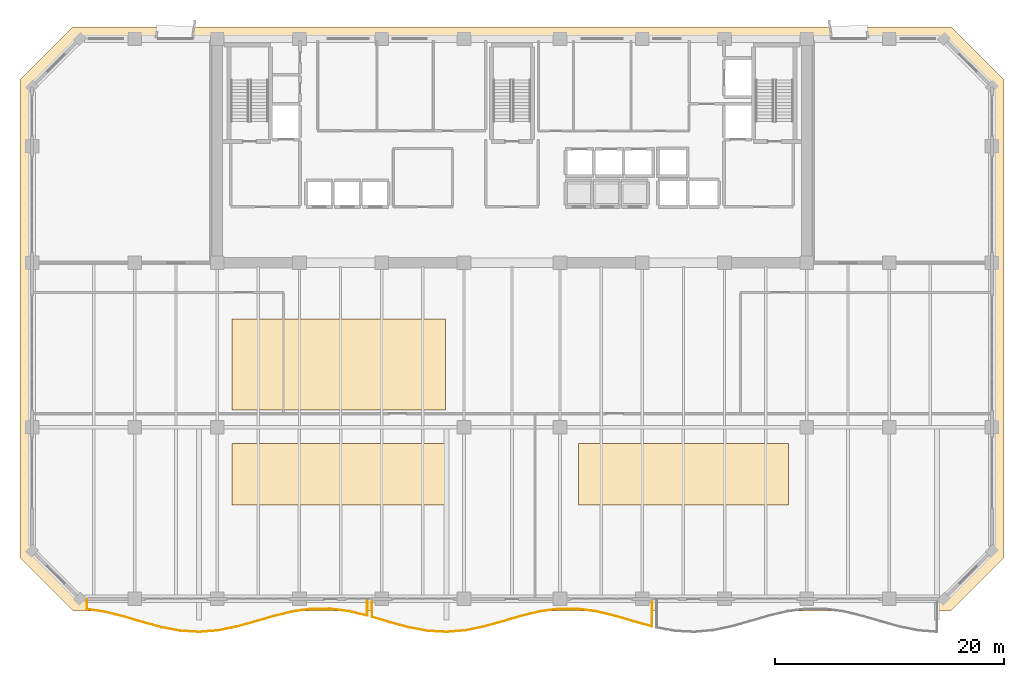
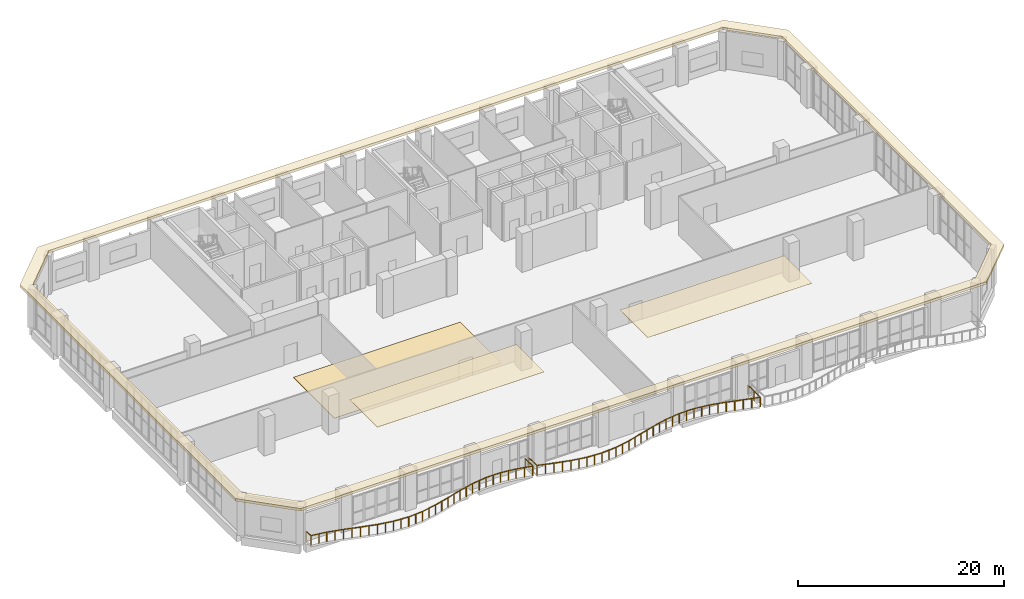
# One storey, part 33 of 37: 4 coverings, 2 railings.
"""IFC4 building model written with IfcOpenShell, lengths in metres."""

from ifc_helpers import new_model, si_unit, direction, frame, origin, origin_2d, place, context, subcontext, project, spatial, polyline, rectangle, outline, extrude, material, layer, layer_set, type_object, element, save


model = new_model("IFC4")

# Units and contexts
model_context = context("Model", 3, precision=1e-05, world=origin(), true_north=direction((0.0, 1.0)))
body_context = subcontext(model_context, "Body", "Model", "MODEL_VIEW")
ifc_project = project(units=[si_unit("LENGTHUNIT", "METRE"), si_unit("AREAUNIT", "SQUARE_METRE"), si_unit("VOLUMEUNIT", "CUBIC_METRE"), si_unit("PLANEANGLEUNIT", "RADIAN"), si_unit("MASSUNIT", "GRAM", prefix="KILO")], contexts=[model_context])

# Site, building, storey
site_placement = place(None, origin())
site = spatial("IfcSite", under=ifc_project, at=site_placement, CompositionType="ELEMENT")
building_placement = place(site_placement, origin())
building = spatial("IfcBuilding", under=site, at=building_placement, Name="Kaelvorn Grand Hotel", CompositionType="ELEMENT")
storey_placement = place(building_placement, frame((0.0, 0.0, 130.550048828125)))
storey = spatial("IfcBuildingStorey", under=building, at=storey_placement, Name="L31", CompositionType="ELEMENT", Elevation=130.550048828125)

# Coverings
ifc_material_1 = material(Name="Precast concrete C45/55", Category="concrete")
ifc_layer_1 = layer(ifc_material_1, 0.260009765625)
ifc_layer_set_1 = layer_set([ifc_layer_1], Name="Precast concrete C45/55")
covering_type_1 = type_object("IfcCoveringType", Name="COV-BAND-STREAMLINE-HEAD", PredefinedType="CLADDING", material=ifc_layer_set_1)
covering_1_placement = place(storey_placement, frame((0.0, 0.0, 4.5400390625)))
element("IfcCovering", 1, at=covering_1_placement, inside=storey, type_object=covering_type_1, Name="L31 Streamline Moderne Wraparound Horizontal Eyebrow Band", PredefinedType="CLADDING", context=body_context, shape_type="SweptSolid", body=[
    extrude(outline(polyline([(3.590087890625, -1.050048828125), (80.409912109375, -1.050048828125), (85.050048828125, 3.590087890625), (85.050048828125, 45.409912109375), (80.409912109375, 50.050048828125), (3.590087890625, 50.050048828125), (-1.050048828125, 45.409912109375), (-1.050048828125, 3.590087890625), (3.590087890625, -1.050048828125)]), holes=[polyline([(4.219970703125, 0.030029296875), (79.780029296875, 0.030029296875), (83.969970703125, 4.219970703125), (83.969970703125, 44.780029296875), (79.780029296875, 48.969970703125), (4.219970703125, 48.969970703125), (0.030029296875, 44.780029296875), (0.030029296875, 4.219970703125), (4.219970703125, 0.030029296875)])]), origin(), (0.0, 0.0, 1.0), 0.2998046875),
])
ifc_material_2 = material(Name="Slatted Malaysian Teak Timber Acoustic Baffle", Category="wood")
ifc_layer_2 = layer(ifc_material_2, 0.034912109375)
ifc_layer_set_2 = layer_set([ifc_layer_2], Name="Slatted Malaysian Teak Timber Acoustic Baffle")
covering_type_2 = type_object("IfcCoveringType", Name="COV-CEIL-TIMBER-35", PredefinedType="CEILING", material=ifc_layer_set_2)
covering_2_placement = place(storey_placement, frame((0.0, 0.0, 3.97998046875)))
element("IfcCovering", 2, at=covering_2_placement, inside=storey, type_object=covering_type_2, Name="L31 Suspended Acoustic Ceiling Panel 1", PredefinedType="CEILING", context=body_context, shape_type="SweptSolid", body=[
    extrude(outline(polyline([(17.5, 8.199951171875), (36.199951171875, 8.199951171875), (36.199951171875, 13.60009765625), (17.5, 13.60009765625), (17.5, 8.199951171875)])), origin(), (0.0, 0.0, 1.0), 0.034912109375),
])
covering_3_placement = place(storey_placement, frame((0.0, 0.0, 3.97998046875)))
element("IfcCovering", 3, at=covering_3_placement, inside=storey, type_object=covering_type_2, Name="L31 Suspended Acoustic Ceiling Panel 2", PredefinedType="CEILING", context=body_context, shape_type="SweptSolid", body=[
    extrude(outline(polyline([(47.800048828125, 8.199951171875), (66.199951171875, 8.199951171875), (66.199951171875, 13.60009765625), (47.800048828125, 13.60009765625), (47.800048828125, 8.199951171875)])), origin(), (0.0, 0.0, 1.0), 0.034912109375),
])
ifc_material_3 = material(Name="Polished Terrazzo Stone Tile", Category="masonry")
ifc_layer_3 = layer(ifc_material_3, 0.0400390625)
ifc_layer_set_3 = layer_set([ifc_layer_3], Name="Polished Terrazzo Stone Tile")
covering_type_3 = type_object("IfcCoveringType", Name="COV-FLR-TERRAZZO-40", PredefinedType="FLOORING", material=ifc_layer_set_3)
covering_4_placement = place(storey_placement, origin())
element("IfcCovering", 4, at=covering_4_placement, inside=storey, type_object=covering_type_3, Name="L31 Terrazzo Concourse Floor Finish", PredefinedType="FLOORING", context=body_context, shape_type="SweptSolid", body=[
    extrude(outline(polyline([(17.5, 16.5), (36.199951171875, 16.5), (36.199951171875, 24.5), (17.5, 24.5), (17.5, 16.5)])), origin(), (0.0, 0.0, 1.0), 0.0400390625),
])

# Railings
ifc_material_4 = material(Name="Stainless Steel", Category="steel")
railing_type = type_object("IfcRailingType", Name="RL-BALC-1150", PredefinedType="BALUSTRADE", material=ifc_material_4)
railing_1_placement = place(storey_placement, frame((4.800048828125, 0.0, 0.0)))
element("IfcRailing", 5, at=railing_1_placement, inside=storey, type_object=railing_type, Name="L31 Scalloped Wave Balcony Balustrade GR1-1", PredefinedType="BALUSTRADE", context=body_context, shape_type="SweptSolid", body=[
    extrude(rectangle(XDim=0.048095703125, YDim=0.048095703125, at=origin_2d()), frame((0.0, 0.0, 1.1259765625), z_axis=(0.0, -1.0, 0.0), x_axis=(1.0, 0.0, 0.0)), (0.0, 0.0, 1.0), 0.900146484375),
    extrude(rectangle(XDim=0.048095703125, YDim=0.048095703125, at=origin_2d()), frame((0.0, -0.900146484375, 1.1259765625), z_axis=(0.988207407969, -0.153121255332, 0.0), x_axis=(0.153121255332, 0.988207407969, 0.0)), (0.0, 0.0, 1.0), 1.655029296875),
    extrude(rectangle(XDim=0.048095703125, YDim=0.048095703125, at=origin_2d()), frame((1.635498046875, -1.153564453125, 1.1259765625), z_axis=(0.969483457617, -0.245156736409, 0.0), x_axis=(0.245156736409, 0.969483457617, 0.0)), (0.0, 0.0, 1.0), 1.68701171875),
    extrude(rectangle(XDim=0.048095703125, YDim=0.048095703125, at=origin_2d()), frame((3.27099609375, -1.567138671875, 1.1259765625), z_axis=(0.959233169968, -0.282615862316, 0.0), x_axis=(0.282615862316, 0.959233169968, 0.0)), (0.0, 0.0, 1.0), 1.705322265625),
    extrude(rectangle(XDim=0.048095703125, YDim=0.048095703125, at=origin_2d()), frame((4.90673828125, -2.049072265625, 1.1259765625), z_axis=(0.965164997987, -0.26164198184, 0.0), x_axis=(0.26164198184, 0.965164997987, 0.0)), (0.0, 0.0, 1.0), 1.694580078125),
    extrude(rectangle(XDim=0.048095703125, YDim=0.048095703125, at=origin_2d()), frame((6.542236328125, -2.492431640625, 1.1259765625), z_axis=(0.982926958604, -0.183996179443, 0.0), x_axis=(0.183996179443, 0.982926958604, 0.0)), (0.0, 0.0, 1.0), 1.663818359375),
    extrude(rectangle(XDim=0.048095703125, YDim=0.048095703125, at=origin_2d()), frame((8.177734375, -2.798583984375, 1.1259765625), z_axis=(0.998095816111, -0.061682589621, 0.0), x_axis=(0.061682589621, 0.998095816111, 0.0)), (0.0, 0.0, 1.0), 1.638671875),
    extrude(rectangle(XDim=0.048095703125, YDim=0.048095703125, at=origin_2d()), frame((9.813232421875, -2.899658203125, 1.1259765625), z_axis=(0.997023764101, 0.077094836514, 0.0), x_axis=(-0.077094836514, 0.997023764101, 0.0)), (0.0, 0.0, 1.0), 1.640380859375),
    extrude(rectangle(XDim=0.048095703125, YDim=0.048095703125, at=origin_2d()), frame((11.44873046875, -2.773193359375, 1.1259765625), z_axis=(0.980693108013, 0.19555313318, 0.0), x_axis=(-0.19555313318, 0.980693108013, 0.0)), (0.0, 0.0, 1.0), 1.66796875),
    extrude(rectangle(XDim=0.048095703125, YDim=0.048095703125, at=origin_2d()), frame((13.08447265625, -2.447021484375, 1.1259765625), z_axis=(0.963696999215, 0.266998302813, 0.0), x_axis=(-0.266998302813, 0.963696999215, 0.0)), (0.0, 0.0, 1.0), 1.697021484375),
    extrude(rectangle(XDim=0.048095703125, YDim=0.048095703125, at=origin_2d()), frame((14.719970703125, -1.993896484375, 1.1259765625), z_axis=(0.959609209401, 0.28133639159, 0.0), x_axis=(-0.28133639159, 0.959609209401, 0.0)), (0.0, 0.0, 1.0), 1.704345703125),
    extrude(rectangle(XDim=0.048095703125, YDim=0.048095703125, at=origin_2d()), frame((16.35546875, -1.514404296875, 1.1259765625), z_axis=(0.971450272651, 0.237243267063, 0.0), x_axis=(-0.237243267063, 0.971450272651, 0.0)), (0.0, 0.0, 1.0), 1.68359375),
    extrude(rectangle(XDim=0.048095703125, YDim=0.048095703125, at=origin_2d()), frame((17.990966796875, -1.114990234375, 1.1259765625), z_axis=(0.990219604351, 0.139517508434, 0.0), x_axis=(-0.139517508434, 0.990219604351, 0.0)), (0.0, 0.0, 1.0), 1.65185546875),
    extrude(rectangle(XDim=0.048095703125, YDim=0.048095703125, at=origin_2d()), frame((19.626708984375, -0.884521484375, 1.1259765625), z_axis=(0.999978430437, 0.006568002827, 0.0), x_axis=(-0.006568002827, 0.999978430437, 0.0)), (0.0, 0.0, 1.0), 1.635498046875),
    extrude(rectangle(XDim=0.048095703125, YDim=0.048095703125, at=origin_2d()), frame((21.26220703125, -0.873779296875, 1.1259765625), z_axis=(0.991728699093, -0.128351811034, 0.0), x_axis=(0.128351811034, 0.991728699093, 0.0)), (0.0, 0.0, 1.0), 1.649169921875),
    extrude(rectangle(XDim=0.048095703125, YDim=0.048095703125, at=origin_2d()), frame((22.897705078125, -1.08544921875, 1.1259765625), z_axis=(0.973100001254, -0.230383132108, 0.0), x_axis=(0.230383132108, 0.973100001254, 0.0)), (0.0, 0.0, 1.0), 1.6806640625),
    extrude(rectangle(XDim=0.048095703125, YDim=0.048095703125, at=origin_2d()), frame((24.533203125, -1.47265625, 1.1259765625), z_axis=(0.0, 1.0, 0.0), x_axis=(-1.0, 0.0, 0.0)), (0.0, 0.0, 1.0), 1.47265625),
    extrude(rectangle(XDim=0.0419921875, YDim=0.0419921875, at=origin_2d()), origin(), (0.0, 0.0, 1.0), 1.101806640625),
    extrude(rectangle(XDim=0.0419921875, YDim=0.0419921875, at=origin_2d()), frame((0.0, -0.900146484375, 0.0)), (0.0, 0.0, 1.0), 1.101806640625),
    extrude(rectangle(XDim=0.0419921875, YDim=0.0419921875, at=origin_2d()), frame((0.81787109375, -1.02685546875, 0.0)), (0.0, 0.0, 1.0), 1.101806640625),
    extrude(rectangle(XDim=0.0419921875, YDim=0.0419921875, at=origin_2d()), frame((1.635498046875, -1.153564453125, 0.0)), (0.0, 0.0, 1.0), 1.101806640625),
    extrude(rectangle(XDim=0.0419921875, YDim=0.0419921875, at=origin_2d()), frame((2.453125, -1.3603515625, 0.0)), (0.0, 0.0, 1.0), 1.101806640625),
    extrude(rectangle(XDim=0.0419921875, YDim=0.0419921875, at=origin_2d()), frame((3.27099609375, -1.567138671875, 0.0)), (0.0, 0.0, 1.0), 1.101806640625),
    extrude(rectangle(XDim=0.0419921875, YDim=0.0419921875, at=origin_2d()), frame((4.0888671875, -1.80810546875, 0.0)), (0.0, 0.0, 1.0), 1.101806640625),
    extrude(rectangle(XDim=0.0419921875, YDim=0.0419921875, at=origin_2d()), frame((4.90673828125, -2.049072265625, 0.0)), (0.0, 0.0, 1.0), 1.101806640625),
    extrude(rectangle(XDim=0.0419921875, YDim=0.0419921875, at=origin_2d()), frame((5.724609375, -2.270751953125, 0.0)), (0.0, 0.0, 1.0), 1.101806640625),
    extrude(rectangle(XDim=0.0419921875, YDim=0.0419921875, at=origin_2d()), frame((6.542236328125, -2.492431640625, 0.0)), (0.0, 0.0, 1.0), 1.101806640625),
    extrude(rectangle(XDim=0.0419921875, YDim=0.0419921875, at=origin_2d()), frame((7.35986328125, -2.6455078125, 0.0)), (0.0, 0.0, 1.0), 1.101806640625),
    extrude(rectangle(XDim=0.0419921875, YDim=0.0419921875, at=origin_2d()), frame((8.177734375, -2.798583984375, 0.0)), (0.0, 0.0, 1.0), 1.101806640625),
    extrude(rectangle(XDim=0.0419921875, YDim=0.0419921875, at=origin_2d()), frame((8.99560546875, -2.84912109375, 0.0)), (0.0, 0.0, 1.0), 1.101806640625),
    extrude(rectangle(XDim=0.0419921875, YDim=0.0419921875, at=origin_2d()), frame((9.813232421875, -2.899658203125, 0.0)), (0.0, 0.0, 1.0), 1.101806640625),
    extrude(rectangle(XDim=0.0419921875, YDim=0.0419921875, at=origin_2d()), frame((10.630859375, -2.83642578125, 0.0)), (0.0, 0.0, 1.0), 1.101806640625),
    extrude(rectangle(XDim=0.0419921875, YDim=0.0419921875, at=origin_2d()), frame((11.44873046875, -2.773193359375, 0.0)), (0.0, 0.0, 1.0), 1.101806640625),
    extrude(rectangle(XDim=0.0419921875, YDim=0.0419921875, at=origin_2d()), frame((12.2666015625, -2.610107421875, 0.0)), (0.0, 0.0, 1.0), 1.101806640625),
    extrude(rectangle(XDim=0.0419921875, YDim=0.0419921875, at=origin_2d()), frame((13.08447265625, -2.447021484375, 0.0)), (0.0, 0.0, 1.0), 1.101806640625),
    extrude(rectangle(XDim=0.0419921875, YDim=0.0419921875, at=origin_2d()), frame((13.90234375, -2.220458984375, 0.0)), (0.0, 0.0, 1.0), 1.101806640625),
    extrude(rectangle(XDim=0.0419921875, YDim=0.0419921875, at=origin_2d()), frame((14.719970703125, -1.993896484375, 0.0)), (0.0, 0.0, 1.0), 1.101806640625),
    extrude(rectangle(XDim=0.0419921875, YDim=0.0419921875, at=origin_2d()), frame((15.53759765625, -1.754150390625, 0.0)), (0.0, 0.0, 1.0), 1.101806640625),
    extrude(rectangle(XDim=0.0419921875, YDim=0.0419921875, at=origin_2d()), frame((16.35546875, -1.514404296875, 0.0)), (0.0, 0.0, 1.0), 1.101806640625),
    extrude(rectangle(XDim=0.0419921875, YDim=0.0419921875, at=origin_2d()), frame((17.17333984375, -1.314697265625, 0.0)), (0.0, 0.0, 1.0), 1.101806640625),
    extrude(rectangle(XDim=0.0419921875, YDim=0.0419921875, at=origin_2d()), frame((17.990966796875, -1.114990234375, 0.0)), (0.0, 0.0, 1.0), 1.101806640625),
    extrude(rectangle(XDim=0.0419921875, YDim=0.0419921875, at=origin_2d()), frame((18.808837890625, -0.999755859375, 0.0)), (0.0, 0.0, 1.0), 1.101806640625),
    extrude(rectangle(XDim=0.0419921875, YDim=0.0419921875, at=origin_2d()), frame((19.626708984375, -0.884521484375, 0.0)), (0.0, 0.0, 1.0), 1.101806640625),
    extrude(rectangle(XDim=0.0419921875, YDim=0.0419921875, at=origin_2d()), frame((20.4443359375, -0.879150390625, 0.0)), (0.0, 0.0, 1.0), 1.101806640625),
    extrude(rectangle(XDim=0.0419921875, YDim=0.0419921875, at=origin_2d()), frame((21.26220703125, -0.873779296875, 0.0)), (0.0, 0.0, 1.0), 1.101806640625),
    extrude(rectangle(XDim=0.0419921875, YDim=0.0419921875, at=origin_2d()), frame((22.080078125, -0.9794921875, 0.0)), (0.0, 0.0, 1.0), 1.101806640625),
    extrude(rectangle(XDim=0.0419921875, YDim=0.0419921875, at=origin_2d()), frame((22.897705078125, -1.08544921875, 0.0)), (0.0, 0.0, 1.0), 1.101806640625),
    extrude(rectangle(XDim=0.0419921875, YDim=0.0419921875, at=origin_2d()), frame((23.71533203125, -1.279052734375, 0.0)), (0.0, 0.0, 1.0), 1.101806640625),
    extrude(rectangle(XDim=0.0419921875, YDim=0.0419921875, at=origin_2d()), frame((24.533203125, -1.47265625, 0.0)), (0.0, 0.0, 1.0), 1.101806640625),
    extrude(rectangle(XDim=0.0419921875, YDim=0.0419921875, at=origin_2d()), frame((24.533203125, 0.0, 0.0)), (0.0, 0.0, 1.0), 1.101806640625),
])
railing_2_placement = place(storey_placement, frame((29.7333984375, 0.0, 0.0)))
element("IfcRailing", 6, at=railing_2_placement, inside=storey, type_object=railing_type, Name="L31 Scalloped Wave Balcony Balustrade GR1-2", PredefinedType="BALUSTRADE", context=body_context, shape_type="SweptSolid", body=[
    extrude(rectangle(XDim=0.048095703125, YDim=0.048095703125, at=origin_2d()), frame((0.0, 0.0, 1.1259765625), z_axis=(0.0, -1.0, 0.0), x_axis=(1.0, 0.0, 0.0)), (0.0, 0.0, 1.0), 1.584716796875),
    extrude(rectangle(XDim=0.048095703125, YDim=0.048095703125, at=origin_2d()), frame((0.0, -1.584716796875, 1.1259765625), z_axis=(0.959105197492, -0.283049854522, 0.0), x_axis=(0.283049854522, 0.959105197492, 0.0)), (0.0, 0.0, 1.0), 1.705322265625),
    extrude(rectangle(XDim=0.048095703125, YDim=0.048095703125, at=origin_2d()), frame((1.635498046875, -2.0673828125, 1.1259765625), z_axis=(0.96570895118, -0.259627081814, 0.0), x_axis=(0.259627081814, 0.96570895118, 0.0)), (0.0, 0.0, 1.0), 1.693603515625),
    extrude(rectangle(XDim=0.048095703125, YDim=0.048095703125, at=origin_2d()), frame((3.27099609375, -2.507080078125, 1.1259765625), z_axis=(0.983662506195, -0.180022426122, 0.0), x_axis=(0.180022426122, 0.983662506195, 0.0)), (0.0, 0.0, 1.0), 1.66259765625),
    extrude(rectangle(XDim=0.048095703125, YDim=0.048095703125, at=origin_2d()), frame((4.906494140625, -2.806396484375, 1.1259765625), z_axis=(0.998403907384, -0.056476877746, 0.0), x_axis=(0.056476877746, 0.998403907384, 0.0)), (0.0, 0.0, 1.0), 1.638427734375),
    extrude(rectangle(XDim=0.048095703125, YDim=0.048095703125, at=origin_2d()), frame((6.542236328125, -2.89892578125, 1.1259765625), z_axis=(0.996610094372, 0.082269798804, 0.0), x_axis=(-0.082269798804, 0.996610094372, 0.0)), (0.0, 0.0, 1.0), 1.64111328125),
    extrude(rectangle(XDim=0.048095703125, YDim=0.048095703125, at=origin_2d()), frame((8.177734375, -2.763916015625, 1.1259765625), z_axis=(0.979979738677, 0.199097242027, 0.0), x_axis=(-0.199097242027, 0.979979738677, 0.0)), (0.0, 0.0, 1.0), 1.6689453125),
    extrude(rectangle(XDim=0.048095703125, YDim=0.048095703125, at=origin_2d()), frame((9.813232421875, -2.431640625, 1.1259765625), z_axis=(0.963251690304, 0.268600411627, 0.0), x_axis=(-0.268600411627, 0.963251690304, 0.0)), (0.0, 0.0, 1.0), 1.697998046875),
    extrude(rectangle(XDim=0.048095703125, YDim=0.048095703125, at=origin_2d()), frame((11.44873046875, -1.9755859375, 1.1259765625), z_axis=(0.95977507509, 0.280770021967, 0.0), x_axis=(-0.280770021967, 0.95977507509, 0.0)), (0.0, 0.0, 1.0), 1.704345703125),
    extrude(rectangle(XDim=0.048095703125, YDim=0.048095703125, at=origin_2d()), frame((13.08447265625, -1.4970703125, 1.1259765625), z_axis=(0.972148369978, 0.234366266236, 0.0), x_axis=(-0.234366266236, 0.972148369978, 0.0)), (0.0, 0.0, 1.0), 1.682373046875),
    extrude(rectangle(XDim=0.048095703125, YDim=0.048095703125, at=origin_2d()), frame((14.719970703125, -1.102783203125, 1.1259765625), z_axis=(0.990840065963, 0.135040600123, 0.0), x_axis=(-0.135040600123, 0.990840065963, 0.0)), (0.0, 0.0, 1.0), 1.650634765625),
    extrude(rectangle(XDim=0.048095703125, YDim=0.048095703125, at=origin_2d()), frame((16.35546875, -0.8798828125, 1.1259765625), z_axis=(0.999999286934, 0.001194207239, 0.0), x_axis=(-0.001194207239, 0.999999286934, 0.0)), (0.0, 0.0, 1.0), 1.635498046875),
    extrude(rectangle(XDim=0.048095703125, YDim=0.048095703125, at=origin_2d()), frame((17.990966796875, -0.8779296875, 1.1259765625), z_axis=(0.991117742947, -0.132987291181, 0.0), x_axis=(0.132987291181, 0.991117742947, 0.0)), (0.0, 0.0, 1.0), 1.650390625),
    extrude(rectangle(XDim=0.048095703125, YDim=0.048095703125, at=origin_2d()), frame((19.626708984375, -1.097412109375, 1.1259765625), z_axis=(0.972412331171, -0.233268639527, 0.0), x_axis=(0.233268639527, 0.972412331171, 0.0)), (0.0, 0.0, 1.0), 1.681884765625),
    extrude(rectangle(XDim=0.048095703125, YDim=0.048095703125, at=origin_2d()), frame((21.26220703125, -1.48974609375, 1.1259765625), z_axis=(0.959879550233, -0.280412640664, 0.0), x_axis=(0.280412640664, 0.959879550233, 0.0)), (0.0, 0.0, 1.0), 1.703857421875),
    extrude(rectangle(XDim=0.048095703125, YDim=0.048095703125, at=origin_2d()), frame((22.897705078125, -1.967529296875, 1.1259765625), z_axis=(0.963065481096, -0.269267300506, 0.0), x_axis=(0.269267300506, 0.963065481096, 0.0)), (0.0, 0.0, 1.0), 1.6982421875),
    extrude(rectangle(XDim=0.048095703125, YDim=0.048095703125, at=origin_2d()), frame((24.533203125, -2.4248046875, 1.1259765625), z_axis=(0.0, 1.0, 0.0), x_axis=(-1.0, 0.0, 0.0)), (0.0, 0.0, 1.0), 2.4248046875),
    extrude(rectangle(XDim=0.0419921875, YDim=0.0419921875, at=origin_2d()), origin(), (0.0, 0.0, 1.0), 1.101806640625),
    extrude(rectangle(XDim=0.0419921875, YDim=0.0419921875, at=origin_2d()), frame((0.0, -1.584716796875, 0.0)), (0.0, 0.0, 1.0), 1.101806640625),
    extrude(rectangle(XDim=0.0419921875, YDim=0.0419921875, at=origin_2d()), frame((0.81787109375, -1.826171875, 0.0)), (0.0, 0.0, 1.0), 1.101806640625),
    extrude(rectangle(XDim=0.0419921875, YDim=0.0419921875, at=origin_2d()), frame((1.635498046875, -2.0673828125, 0.0)), (0.0, 0.0, 1.0), 1.101806640625),
    extrude(rectangle(XDim=0.0419921875, YDim=0.0419921875, at=origin_2d()), frame((2.453125, -2.287109375, 0.0)), (0.0, 0.0, 1.0), 1.101806640625),
    extrude(rectangle(XDim=0.0419921875, YDim=0.0419921875, at=origin_2d()), frame((3.27099609375, -2.507080078125, 0.0)), (0.0, 0.0, 1.0), 1.101806640625),
    extrude(rectangle(XDim=0.0419921875, YDim=0.0419921875, at=origin_2d()), frame((4.0888671875, -2.65673828125, 0.0)), (0.0, 0.0, 1.0), 1.101806640625),
    extrude(rectangle(XDim=0.0419921875, YDim=0.0419921875, at=origin_2d()), frame((4.906494140625, -2.806396484375, 0.0)), (0.0, 0.0, 1.0), 1.101806640625),
    extrude(rectangle(XDim=0.0419921875, YDim=0.0419921875, at=origin_2d()), frame((5.724365234375, -2.8525390625, 0.0)), (0.0, 0.0, 1.0), 1.101806640625),
    extrude(rectangle(XDim=0.0419921875, YDim=0.0419921875, at=origin_2d()), frame((6.542236328125, -2.89892578125, 0.0)), (0.0, 0.0, 1.0), 1.101806640625),
    extrude(rectangle(XDim=0.0419921875, YDim=0.0419921875, at=origin_2d()), frame((7.35986328125, -2.83154296875, 0.0)), (0.0, 0.0, 1.0), 1.101806640625),
    extrude(rectangle(XDim=0.0419921875, YDim=0.0419921875, at=origin_2d()), frame((8.177734375, -2.763916015625, 0.0)), (0.0, 0.0, 1.0), 1.101806640625),
    extrude(rectangle(XDim=0.0419921875, YDim=0.0419921875, at=origin_2d()), frame((8.99560546875, -2.59765625, 0.0)), (0.0, 0.0, 1.0), 1.101806640625),
    extrude(rectangle(XDim=0.0419921875, YDim=0.0419921875, at=origin_2d()), frame((9.813232421875, -2.431640625, 0.0)), (0.0, 0.0, 1.0), 1.101806640625),
    extrude(rectangle(XDim=0.0419921875, YDim=0.0419921875, at=origin_2d()), frame((10.630859375, -2.20361328125, 0.0)), (0.0, 0.0, 1.0), 1.101806640625),
    extrude(rectangle(XDim=0.0419921875, YDim=0.0419921875, at=origin_2d()), frame((11.44873046875, -1.9755859375, 0.0)), (0.0, 0.0, 1.0), 1.101806640625),
    extrude(rectangle(XDim=0.0419921875, YDim=0.0419921875, at=origin_2d()), frame((12.2666015625, -1.736328125, 0.0)), (0.0, 0.0, 1.0), 1.101806640625),
    extrude(rectangle(XDim=0.0419921875, YDim=0.0419921875, at=origin_2d()), frame((13.08447265625, -1.4970703125, 0.0)), (0.0, 0.0, 1.0), 1.101806640625),
    extrude(rectangle(XDim=0.0419921875, YDim=0.0419921875, at=origin_2d()), frame((13.90234375, -1.2998046875, 0.0)), (0.0, 0.0, 1.0), 1.101806640625),
    extrude(rectangle(XDim=0.0419921875, YDim=0.0419921875, at=origin_2d()), frame((14.719970703125, -1.102783203125, 0.0)), (0.0, 0.0, 1.0), 1.101806640625),
    extrude(rectangle(XDim=0.0419921875, YDim=0.0419921875, at=origin_2d()), frame((15.53759765625, -0.9912109375, 0.0)), (0.0, 0.0, 1.0), 1.101806640625),
    extrude(rectangle(XDim=0.0419921875, YDim=0.0419921875, at=origin_2d()), frame((16.35546875, -0.8798828125, 0.0)), (0.0, 0.0, 1.0), 1.101806640625),
    extrude(rectangle(XDim=0.0419921875, YDim=0.0419921875, at=origin_2d()), frame((17.17333984375, -0.87890625, 0.0)), (0.0, 0.0, 1.0), 1.101806640625),
    extrude(rectangle(XDim=0.0419921875, YDim=0.0419921875, at=origin_2d()), frame((17.990966796875, -0.8779296875, 0.0)), (0.0, 0.0, 1.0), 1.101806640625),
    extrude(rectangle(XDim=0.0419921875, YDim=0.0419921875, at=origin_2d()), frame((18.808837890625, -0.98779296875, 0.0)), (0.0, 0.0, 1.0), 1.101806640625),
    extrude(rectangle(XDim=0.0419921875, YDim=0.0419921875, at=origin_2d()), frame((19.626708984375, -1.097412109375, 0.0)), (0.0, 0.0, 1.0), 1.101806640625),
    extrude(rectangle(XDim=0.0419921875, YDim=0.0419921875, at=origin_2d()), frame((20.4443359375, -1.29345703125, 0.0)), (0.0, 0.0, 1.0), 1.101806640625),
    extrude(rectangle(XDim=0.0419921875, YDim=0.0419921875, at=origin_2d()), frame((21.26220703125, -1.48974609375, 0.0)), (0.0, 0.0, 1.0), 1.101806640625),
    extrude(rectangle(XDim=0.0419921875, YDim=0.0419921875, at=origin_2d()), frame((22.080078125, -1.728515625, 0.0)), (0.0, 0.0, 1.0), 1.101806640625),
    extrude(rectangle(XDim=0.0419921875, YDim=0.0419921875, at=origin_2d()), frame((22.897705078125, -1.967529296875, 0.0)), (0.0, 0.0, 1.0), 1.101806640625),
    extrude(rectangle(XDim=0.0419921875, YDim=0.0419921875, at=origin_2d()), frame((23.71533203125, -2.1962890625, 0.0)), (0.0, 0.0, 1.0), 1.101806640625),
    extrude(rectangle(XDim=0.0419921875, YDim=0.0419921875, at=origin_2d()), frame((24.533203125, -2.4248046875, 0.0)), (0.0, 0.0, 1.0), 1.101806640625),
    extrude(rectangle(XDim=0.0419921875, YDim=0.0419921875, at=origin_2d()), frame((24.533203125, -1.21240234375, 0.0)), (0.0, 0.0, 1.0), 1.101806640625),
    extrude(rectangle(XDim=0.0419921875, YDim=0.0419921875, at=origin_2d()), frame((24.533203125, 0.0, 0.0)), (0.0, 0.0, 1.0), 1.101806640625),
])

save(model, "model.ifc")
